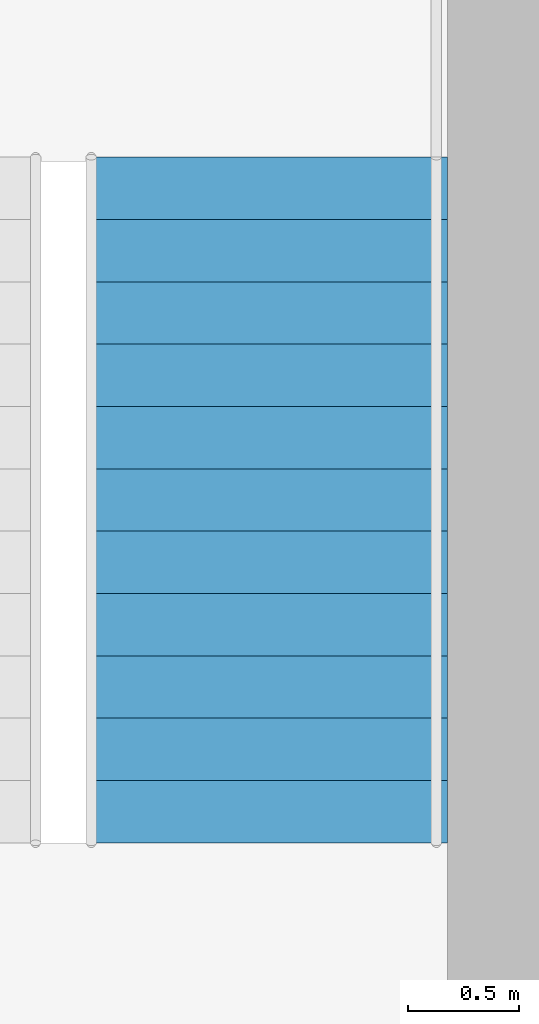
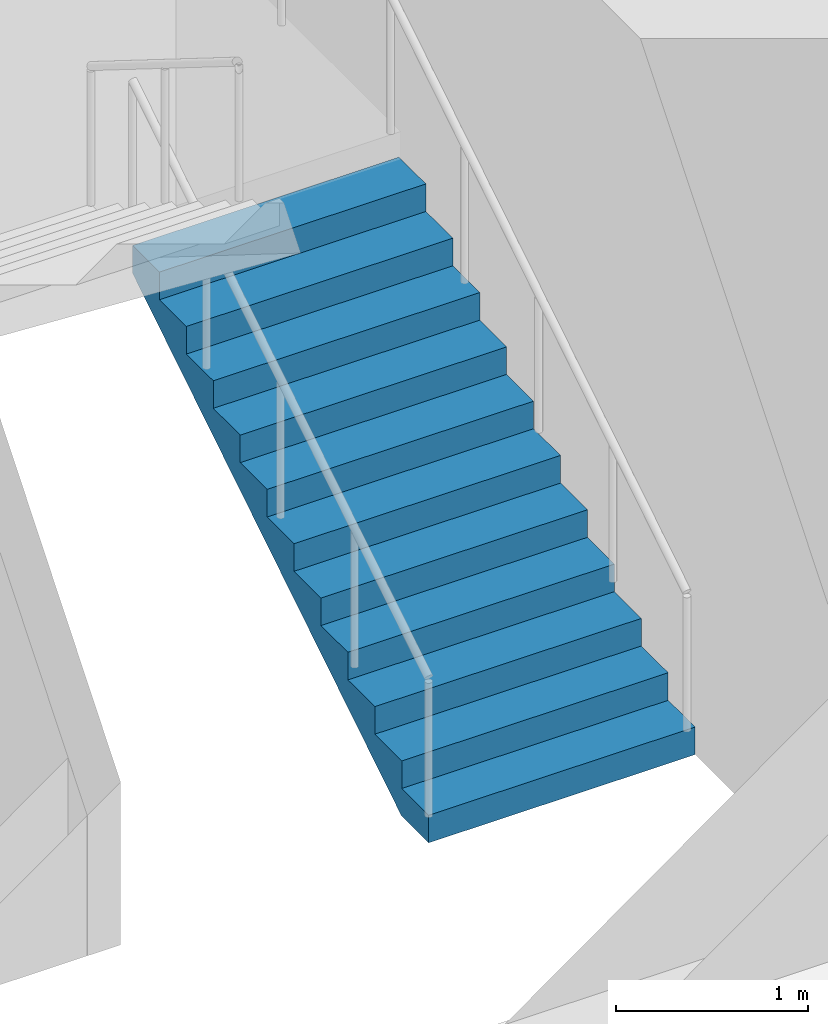
# One storey, part 11 of 12: 1 stair flight, 1 element without a shape of its own.
"""IFC4 building model written with IfcOpenShell, lengths in metres."""

import ifcopenshell
import ifcopenshell.guid

model = None  # the IFC model being written
_history = None  # IfcOwnerHistory: only IFC2X3 demands one
_inside = {}  # id of a spatial element -> (the spatial element, [elements in it])
_under = {}  # id of a project, library or spatial element -> (it, [spatial elements below it])
_declared = {}  # id of a project -> (the project, [libraries it declares])
_typed = {}  # id of a type object -> (the type object, [elements of that type])
_made_of = {}  # id of a material, layer set ... -> (it, [elements and type objects made of it])


def new_model(schema):
    """Start an empty IFC model of exactly this schema.

    Asked for "IFC4X3", IfcOpenShell would pick the latest addendum, in which some entities
    have other attributes; the version numbers below select the first issue.
    IFC2X3 requires an IfcOwnerHistory on every rooted entity: one is made here for all.
    """
    global model, _history
    if schema == "IFC4X3":
        model = ifcopenshell.file(schema_version=(4, 3, 0, 0))
    else:
        model = ifcopenshell.file(schema=schema)
    _inside.clear()
    _under.clear()
    _declared.clear()
    _typed.clear()
    _made_of.clear()
    _history = None
    if model.schema == "IFC2X3":
        org = make("IfcOrganization", Name="unknown")
        user = make(
            "IfcPersonAndOrganization",
            ThePerson=make("IfcPerson", FamilyName="unknown"),
            TheOrganization=org,
        )
        app = make(
            "IfcApplication",
            ApplicationDeveloper=org,
            Version="unknown",
            ApplicationFullName="unknown",
            ApplicationIdentifier="unknown",
        )
        _history = make(
            "IfcOwnerHistory",
            OwningUser=user,
            OwningApplication=app,
            ChangeAction="ADDED",
            CreationDate=0,
        )
    return model


def make(cls, **values):
    """One entity of the class cls with the attributes given. An attribute that is None is left unset."""
    return model.create_entity(
        cls, **{name: value for name, value in values.items() if value is not None}
    )


def rooted(cls, **values):
    """An entity with a GlobalId (a new one), such as an element, a storey or a relation."""
    return make(cls, GlobalId=ifcopenshell.guid.new(), OwnerHistory=_history, **values)


def si_unit(unit_type, name, prefix=None):
    """IfcSIUnit, for example si_unit("LENGTHUNIT", "METRE", prefix="MILLI")."""
    return make("IfcSIUnit", UnitType=unit_type, Prefix=prefix, Name=name)


def assignment(units):
    """IfcUnitAssignment: the units of a project."""
    return None if units is None else make("IfcUnitAssignment", Units=units)


def point(xyz):
    """IfcCartesianPoint."""
    return None if xyz is None else make("IfcCartesianPoint", Coordinates=xyz)


def direction(xyz):
    """IfcDirection."""
    return None if xyz is None else make("IfcDirection", DirectionRatios=xyz)


def frame(location, z_axis=None, x_axis=None):
    """IfcAxis2Placement3D, a coordinate frame: its origin and axes. An axis left out is left unset."""
    return make(
        "IfcAxis2Placement3D",
        Location=point(location),
        Axis=direction(z_axis),
        RefDirection=direction(x_axis),
    )


def origin():
    """The frame at (0, 0, 0) with its axes left unset."""
    return frame((0.0, 0.0, 0.0))


def place(relative_to, where):
    """IfcLocalPlacement: puts the frame where relative to a parent placement (None: the world)."""
    return make(
        "IfcLocalPlacement", PlacementRelTo=relative_to, RelativePlacement=where
    )


def context(
    kind, dimensions, precision=None, world=None, true_north=None, identifier=None
):
    """IfcGeometricRepresentationContext, for example the 3D "Model" context."""
    return make(
        "IfcGeometricRepresentationContext",
        ContextIdentifier=identifier,
        ContextType=kind,
        CoordinateSpaceDimension=dimensions,
        Precision=precision,
        WorldCoordinateSystem=world,
        TrueNorth=true_north,
    )


def subcontext(parent, identifier, kind, view, scale=None):
    """IfcGeometricRepresentationSubContext, for example "Body" below "Model"."""
    return make(
        "IfcGeometricRepresentationSubContext",
        ContextIdentifier=identifier,
        ContextType=kind,
        ParentContext=parent,
        TargetScale=scale,
        TargetView=view,
    )


def project(units=None, contexts=None):
    """IfcProject with its units and contexts."""
    return rooted(
        "IfcProject",
        Name="project",
        RepresentationContexts=contexts,
        UnitsInContext=assignment(units),
    )


def spatial(cls, under=None, at=None, **own):
    """A site, building, storey or space (cls), placed at a placement, below another one or the project."""
    s = rooted(cls, ObjectPlacement=at, **own)
    if under is not None:
        _under.setdefault(under.id(), (under, []))[1].append(s)
    return s


def polyline(points):
    """IfcPolyline through the points."""
    return make("IfcPolyline", Points=[point(p) for p in points])


def outline(outer, holes=None, kind="AREA"):
    """IfcArbitraryClosedProfileDef: a profile drawn as a closed curve; with holes, ...WithVoids."""
    if holes is None:
        return make("IfcArbitraryClosedProfileDef", ProfileType=kind, OuterCurve=outer)
    return make(
        "IfcArbitraryProfileDefWithVoids",
        ProfileType=kind,
        OuterCurve=outer,
        InnerCurves=holes,
    )


def extrude(swept, where, along, depth):
    """IfcExtrudedAreaSolid: the profile swept, set in the frame where, extruded along a direction by depth."""
    return make(
        "IfcExtrudedAreaSolid",
        SweptArea=swept,
        Position=where,
        ExtrudedDirection=direction(along),
        Depth=depth,
    )


def shape(context_of_items, identifier, shape_type, items):
    """IfcShapeRepresentation: the items that make up one representation, for example the "Body"."""
    return make(
        "IfcShapeRepresentation",
        ContextOfItems=context_of_items,
        RepresentationIdentifier=identifier,
        RepresentationType=shape_type,
        Items=items,
    )


def material(Name=None, Category=None):
    """IfcMaterial."""
    return make("IfcMaterial", Name=Name, Category=Category)


def made_of(thing, what):
    """Note that an element or type object is made of a material, layer set ...; save() writes the relation."""
    if what is not None:
        _made_of.setdefault(what.id(), (what, []))[1].append(thing)
    return thing


def type_object(cls, material=None, **own):
    """A type object (cls), such as IfcWallType, which elements share."""
    return made_of(rooted(cls, **own), material)


def element(
    cls,
    number,
    at=None,
    inside=None,
    cuts=None,
    type_object=None,
    material=None,
    context=None,
    identifier="Body",
    shape_type=None,
    held_by="IfcProductDefinitionShape",
    body=None,
    shapes=None,
    **own,
):
    """One element of the class cls, such as IfcWall. Its Tag is "e" and its number.

    at: its placement. inside: the storey or other place that contains it. cuts: it is an
    opening in that element (IfcRelVoidsElement). A single representation is given by context,
    identifier, shape_type and body (its items); several are given by shapes. held_by: the class
    of the entity that holds the representations. save() writes the other relations.
    """
    e = rooted(cls, Tag="e%d" % number, ObjectPlacement=at, **own)
    if body is not None:
        shapes = [shape(context, identifier, shape_type, body)]
    if shapes is not None:
        e.Representation = make(held_by, Representations=shapes)
    if inside is not None:
        _inside.setdefault(inside.id(), (inside, []))[1].append(e)
    if cuts is not None:
        rooted(
            "IfcRelVoidsElement", RelatingBuildingElement=cuts, RelatedOpeningElement=e
        )
    if type_object is not None:
        _typed.setdefault(type_object.id(), (type_object, []))[1].append(e)
    return made_of(e, material)


def aggregate(whole, parts):
    """IfcRelAggregates: a whole, such as a stair, and the parts it consists of."""
    return rooted("IfcRelAggregates", RelatingObject=whole, RelatedObjects=parts)


def save(model, path):
    """Write the relations noted so far, then the file.

    IfcRelAggregates (storeys below a building ...), IfcRelContainedInSpatialStructure (elements
    in a storey), IfcRelDefinesByType, IfcRelAssociatesMaterial and IfcRelDeclares: one each for
    every whole, place, type object, material and project.
    """
    for whole, parts in _under.values():
        aggregate(whole, parts)
    for where, things in _inside.values():
        rooted(
            "IfcRelContainedInSpatialStructure",
            RelatedElements=things,
            RelatingStructure=where,
        )
    for kind, things in _typed.values():
        rooted("IfcRelDefinesByType", RelatedObjects=things, RelatingType=kind)
    for what, things in _made_of.values():
        rooted("IfcRelAssociatesMaterial", RelatedObjects=things, RelatingMaterial=what)
    for by, libraries in _declared.values():
        rooted("IfcRelDeclares", RelatingContext=by, RelatedDefinitions=libraries)
    model.write(path)


model = new_model("IFC4")

# Units and contexts
model_context = context("Model", 3, precision=1e-05, world=origin(), true_north=direction((0.0, 1.0)))
body_context = subcontext(model_context, "Body", "Model", "MODEL_VIEW")
ifc_project = project(units=[si_unit("LENGTHUNIT", "METRE"), si_unit("AREAUNIT", "SQUARE_METRE"), si_unit("VOLUMEUNIT", "CUBIC_METRE"), si_unit("PLANEANGLEUNIT", "RADIAN"), si_unit("MASSUNIT", "GRAM", prefix="KILO")], contexts=[model_context])

# Site, building, storey
site_placement = place(None, origin())
site = spatial("IfcSite", under=ifc_project, at=site_placement, CompositionType="ELEMENT")
building_placement = place(site_placement, origin())
building = spatial("IfcBuilding", under=site, at=building_placement, Name="Ghaith Harvest Tower", CompositionType="ELEMENT")
storey_placement = place(building_placement, frame((0.0, 0.0, 224.199951171875)))
storey = spatial("IfcBuildingStorey", under=building, at=storey_placement, Name="L49", CompositionType="ELEMENT", Elevation=224.199951171875)

# Stair, stair flight
ifc_material_1 = material(Name="Concrete C40/50, precast", Category="concrete")
stair_type = type_object("IfcStairType", Name="CORE STAIR 24R", PredefinedType="HALF_TURN_STAIR", material=ifc_material_1)
stair_placement = place(storey_placement, origin())
stair = element("IfcStair", 1, at=stair_placement, inside=storey, type_object=stair_type, Name="Stair ST2 L49", PredefinedType="HALF_TURN_STAIR")
ifc_material_2 = material(Name="Concrete C40/50, precast", Category="concrete")
stair_flight_type = type_object("IfcStairFlightType", Name="CORE FLIGHT 12R 1600", PredefinedType="STRAIGHT", material=ifc_material_2)
stair_flight_placement = place(storey_placement, frame((12.0, 3.39990234375, 0.0), z_axis=(0.0, 0.0, 1.0), x_axis=(0.0, 1.0, 0.0)))
stair_flight = element("IfcStairFlight", 2, at=stair_flight_placement, type_object=stair_flight_type, Name="ST2 flight 1", NumberOfRisers=12, NumberOfTreads=11, PredefinedType="STRAIGHT", RiserHeight=0.175, TreadLength=0.28, context=body_context, shape_type="SweptSolid", body=[
    extrude(outline(polyline([(0.0, 0.0), (0.0, 0.175048828125), (0.280029296875, 0.175048828125), (0.280029296875, 0.35009765625), (0.56005859375, 0.35009765625), (0.56005859375, 0.52490234375), (0.840087890625, 0.52490234375), (0.840087890625, 0.699951171875), (1.1201171875, 0.699951171875), (1.1201171875, 0.875), (1.39990234375, 0.875), (1.39990234375, 1.050048828125), (1.679931640625, 1.050048828125), (1.679931640625, 1.22509765625), (1.9599609375, 1.22509765625), (1.9599609375, 1.39990234375), (2.239990234375, 1.39990234375), (2.239990234375, 1.574951171875), (2.52001953125, 1.574951171875), (2.52001953125, 1.75), (2.800048828125, 1.75), (2.800048828125, 1.925048828125), (3.080078125, 1.925048828125), (3.080078125, 2.10009765625), (3.080078125, 1.748291015625), (0.28271484375, 0.0), (0.0, 0.0)])), frame((0.0, 0.800048828125, 0.0), z_axis=(0.0, -1.0, 0.0), x_axis=(1.0, 0.0, 0.0)), (0.0, 0.0, 1.0), 1.60009765625),
])
aggregate(stair, [stair_flight])

save(model, "model.ifc")
